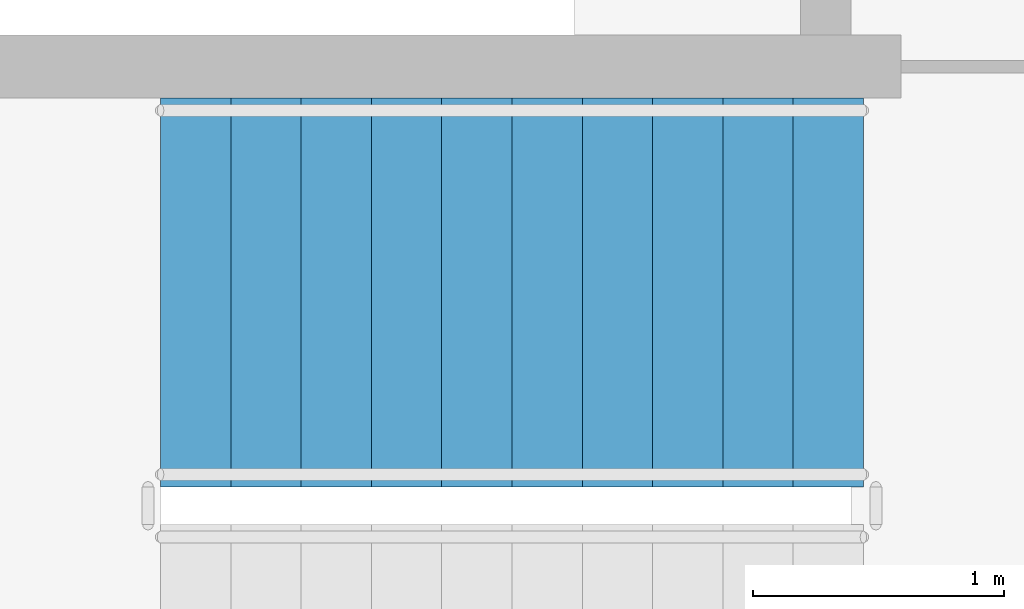
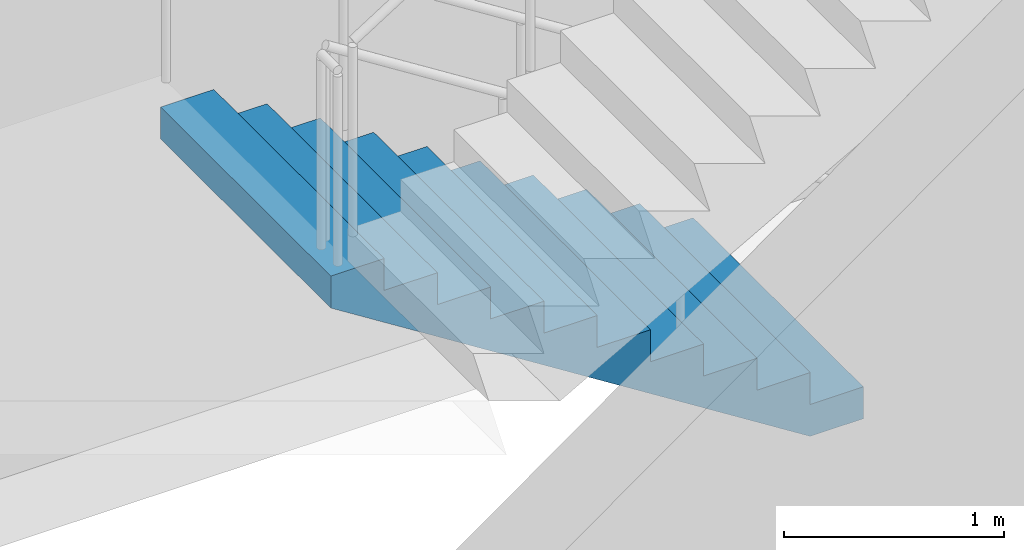
# One storey, part 9 of 10: 1 stair flight, 1 element without a shape of its own.
"""IFC4 building model written with IfcOpenShell, lengths in metres."""

from ifc_helpers import new_model, si_unit, direction, frame, origin, place, context, subcontext, project, spatial, polyline, outline, extrude, material, type_object, element, aggregate, save


model = new_model("IFC4")

# Units and contexts
model_context = context("Model", 3, precision=1e-05, world=origin(), true_north=direction((0.0, 1.0)))
body_context = subcontext(model_context, "Body", "Model", "MODEL_VIEW")
ifc_project = project(units=[si_unit("LENGTHUNIT", "METRE"), si_unit("AREAUNIT", "SQUARE_METRE"), si_unit("VOLUMEUNIT", "CUBIC_METRE"), si_unit("PLANEANGLEUNIT", "RADIAN"), si_unit("MASSUNIT", "GRAM", prefix="KILO")], contexts=[model_context])

# Site, building, storey
site_placement = place(None, origin())
site = spatial("IfcSite", under=ifc_project, at=site_placement, CompositionType="ELEMENT")
building_placement = place(site_placement, origin())
building = spatial("IfcBuilding", under=site, at=building_placement, Name="Dhurran Vertical Campus", CompositionType="ELEMENT")
storey_placement = place(building_placement, frame((0.0, 0.0, 49.5)))
storey = spatial("IfcBuildingStorey", under=building, at=storey_placement, Name="L11", CompositionType="ELEMENT", Elevation=49.5)

# Stair, stair flight
ifc_material_1 = material(Name="Concrete C40/50", Category="concrete")
stair_type = type_object("IfcStairType", Name="co-ST-CORE", PredefinedType="HALF_TURN_STAIR", material=ifc_material_1)
stair_placement = place(storey_placement, origin())
stair = element("IfcStair", 1, at=stair_placement, inside=storey, type_object=stair_type, Name="L11 Protected exit stair ST2", PredefinedType="HALF_TURN_STAIR")
ifc_material_2 = material(Name="Concrete C40/50", Category="concrete")
stair_flight_type = type_object("IfcStairFlightType", Name="co-SFL-RC", PredefinedType="STRAIGHT", material=ifc_material_2)
stair_flight_placement = place(storey_placement, frame((11.10009765625, 9.875, 0.0), z_axis=(0.0, 0.0, 1.0), x_axis=(-1.0, 0.0, 0.0)))
stair_flight = element("IfcStairFlight", 2, at=stair_flight_placement, type_object=stair_flight_type, Name="ST2 flight 1", NumberOfRisers=11, NumberOfTreads=10, PredefinedType="STRAIGHT", RiserHeight=0.177272727, TreadLength=0.28, context=body_context, shape_type="SweptSolid", body=[
    extrude(outline(polyline([(0.0, 0.0), (0.0, 0.17724609375), (0.280029296875, 0.17724609375), (0.280029296875, 0.3544921875), (0.56005859375, 0.3544921875), (0.56005859375, 0.53173828125), (0.840087890625, 0.53173828125), (0.840087890625, 0.708984375), (1.1201171875, 0.708984375), (1.1201171875, 0.886474609375), (1.39990234375, 0.886474609375), (1.39990234375, 1.063720703125), (1.679931640625, 1.063720703125), (1.679931640625, 1.240966796875), (1.9599609375, 1.240966796875), (1.9599609375, 1.418212890625), (2.239990234375, 1.418212890625), (2.239990234375, 1.595458984375), (2.52001953125, 1.595458984375), (2.52001953125, 1.772705078125), (2.800048828125, 1.772705078125), (2.800048828125, 1.949951171875), (2.800048828125, 1.59521484375), (0.2802734375, 0.0), (0.0, 0.0)])), frame((0.0, 0.77490234375, 0.0), z_axis=(0.0, -1.0, 0.0), x_axis=(1.0, 0.0, 0.0)), (0.0, 0.0, 1.0), 1.550048828125),
])
aggregate(stair, [stair_flight])

save(model, "model.ifc")
